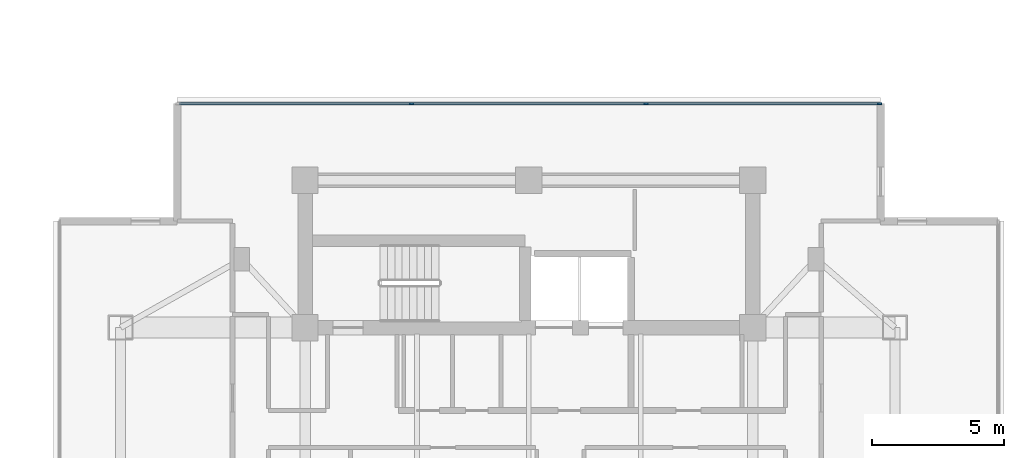
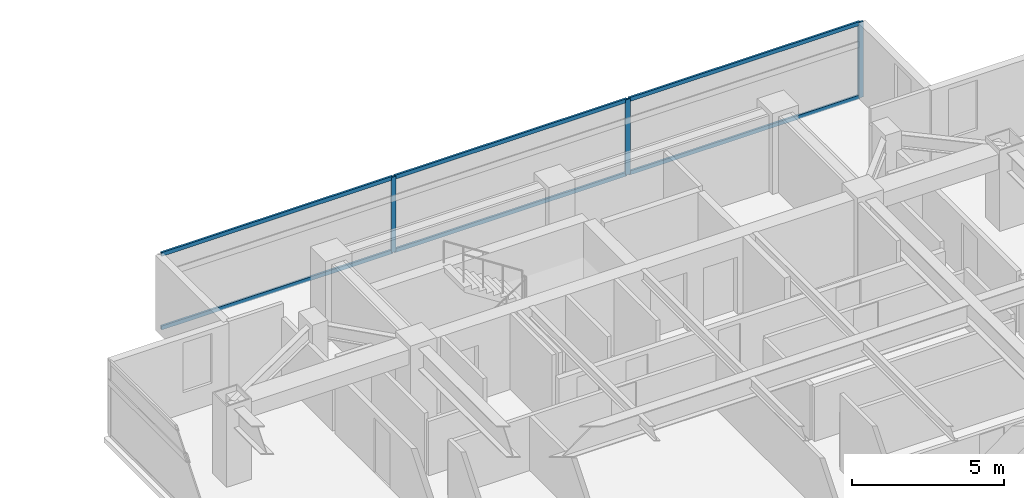
# One storey, part 11 of 26: 9 members, 1 element without a shape of its own.
"""IFC4 building model written with IfcOpenShell, lengths in metres."""

from ifc_helpers import new_model, si_unit, direction, frame, origin, origin_2d, place, context, subcontext, project, spatial, rectangle, extrude, material, material_profile, profile_set, type_object, element, aggregate, save


model = new_model("IFC4")

# Units and contexts
model_context = context("Model", 3, precision=1e-05, world=origin(), true_north=direction((0.0, 1.0)))
body_context = subcontext(model_context, "Body", "Model", "MODEL_VIEW")
ifc_project = project(units=[si_unit("LENGTHUNIT", "METRE"), si_unit("AREAUNIT", "SQUARE_METRE"), si_unit("VOLUMEUNIT", "CUBIC_METRE"), si_unit("PLANEANGLEUNIT", "RADIAN"), si_unit("MASSUNIT", "GRAM", prefix="KILO")], contexts=[model_context])

# Site, building, storey
site_placement = place(None, origin())
site = spatial("IfcSite", under=ifc_project, at=site_placement, CompositionType="ELEMENT")
building_placement = place(site_placement, origin())
building = spatial("IfcBuilding", under=site, at=building_placement, Name="Mirazonda Arch Towers", CompositionType="ELEMENT")
storey_placement = place(building_placement, frame((0.0, 0.0, 170.64990234375)))
storey = spatial("IfcBuildingStorey", under=building, at=storey_placement, Name="L48", CompositionType="ELEMENT", Elevation=170.64990234375)

# Curtain wall, members
ifc_material_1 = material(Name="Anodised Aluminium and Low-E Glass", Category="aluminium")
curtain_wall_type = type_object("IfcCurtainWallType", Name="CW-RES-UNIT", PredefinedType="NOTDEFINED", material=ifc_material_1)
curtain_wall_placement = place(storey_placement, origin())
curtain_wall = element("IfcCurtainWall", 1, at=curtain_wall_placement, inside=storey, type_object=curtain_wall_type, Name="L48 T2 N Facade CW-L48-T2-N", PredefinedType="NOTDEFINED")
ifc_material_2 = material(Name="Anodised Aluminium Alloy", Category="aluminium")
ifc_material_profile_1 = material_profile(ifc_material_2, rectangle(XDim=0.074951171875, YDim=0.175048828125, at=origin_2d()), Name="ALU-MULL-75x175")
ifc_profile_set_1 = profile_set([ifc_material_profile_1], Name="Anodised Aluminium Alloy")
member_type_1 = type_object("IfcMemberType", Name="MULL-CW-RES-UNIT", PredefinedType="MULLION", material=ifc_profile_set_1)
member_1_placement = place(storey_placement, frame((72.047607421875, 43.7080078125, 0.0), z_axis=(0.0, 0.0, 1.0), x_axis=(0.0, 1.0, 0.0)))
member_1 = element("IfcMember", 2, at=member_1_placement, type_object=member_type_1, Name="CW-104 mullion 2", PredefinedType="MULLION", context=body_context, shape_type="SweptSolid", body=[
    extrude(rectangle(XDim=0.074951171875, YDim=0.175048828125, at=origin_2d()), origin(), (0.0, 0.0, 1.0), 3.030029296875),
])
member_2_placement = place(storey_placement, frame((80.952392578125, 43.7080078125, 0.0), z_axis=(0.0, 0.0, 1.0), x_axis=(0.0, 1.0, 0.0)))
member_2 = element("IfcMember", 3, at=member_2_placement, type_object=member_type_1, Name="CW-104 mullion 3", PredefinedType="MULLION", context=body_context, shape_type="SweptSolid", body=[
    extrude(rectangle(XDim=0.074951171875, YDim=0.175048828125, at=origin_2d()), origin(), (0.0, 0.0, 1.0), 3.030029296875),
])
member_3_placement = place(storey_placement, frame((89.81982421875, 43.7080078125, 0.0), z_axis=(0.0, 0.0, 1.0), x_axis=(0.0, 1.0, 0.0)))
member_3 = element("IfcMember", 4, at=member_3_placement, type_object=member_type_1, Name="CW-104 mullion 4", PredefinedType="MULLION", context=body_context, shape_type="SweptSolid", body=[
    extrude(rectangle(XDim=0.074951171875, YDim=0.175048828125, at=origin_2d()), origin(), (0.0, 0.0, 1.0), 3.030029296875),
])
ifc_material_profile_2 = material_profile(ifc_material_2, rectangle(XDim=0.074951171875, YDim=0.155029296875, at=origin_2d()), Name="ALU-TRAN-75x155")
ifc_profile_set_2 = profile_set([ifc_material_profile_2], Name="Anodised Aluminium Alloy")
member_type_2 = type_object("IfcMemberType", Name="TRAN-CW-RES-UNIT", PredefinedType="USERDEFINED", material=ifc_profile_set_2)
member_4_placement = place(storey_placement, frame((63.2177734375, 43.7080078125, 0.03759765625), z_axis=(1.0, 0.0, 0.0), x_axis=(0.0, 1.0, 0.0)))
member_4 = element("IfcMember", 5, at=member_4_placement, type_object=member_type_2, Name="CW-104 transom 1.1", ObjectType="TRANSOM", PredefinedType="USERDEFINED", context=body_context, shape_type="SweptSolid", body=[
    extrude(rectangle(XDim=0.074951171875, YDim=0.155029296875, at=origin_2d()), origin(), (0.0, 0.0, 1.0), 8.792236328125),
])
member_5_placement = place(storey_placement, frame((63.2177734375, 43.7080078125, 2.99267578125), z_axis=(1.0, 0.0, 0.0), x_axis=(0.0, 1.0, 0.0)))
member_5 = element("IfcMember", 6, at=member_5_placement, type_object=member_type_2, Name="CW-104 transom 1.2", ObjectType="TRANSOM", PredefinedType="USERDEFINED", context=body_context, shape_type="SweptSolid", body=[
    extrude(rectangle(XDim=0.074951171875, YDim=0.155029296875, at=origin_2d()), origin(), (0.0, 0.0, 1.0), 8.792236328125),
])
member_6_placement = place(storey_placement, frame((72.0849609375, 43.7080078125, 0.03759765625), z_axis=(1.0, 0.0, 0.0), x_axis=(0.0, 1.0, 0.0)))
member_6 = element("IfcMember", 7, at=member_6_placement, type_object=member_type_2, Name="CW-104 transom 2.1", ObjectType="TRANSOM", PredefinedType="USERDEFINED", context=body_context, shape_type="SweptSolid", body=[
    extrude(rectangle(XDim=0.074951171875, YDim=0.155029296875, at=origin_2d()), origin(), (0.0, 0.0, 1.0), 8.830078125),
])
member_7_placement = place(storey_placement, frame((72.0849609375, 43.7080078125, 2.99267578125), z_axis=(1.0, 0.0, 0.0), x_axis=(0.0, 1.0, 0.0)))
member_7 = element("IfcMember", 8, at=member_7_placement, type_object=member_type_2, Name="CW-104 transom 2.2", ObjectType="TRANSOM", PredefinedType="USERDEFINED", context=body_context, shape_type="SweptSolid", body=[
    extrude(rectangle(XDim=0.074951171875, YDim=0.155029296875, at=origin_2d()), origin(), (0.0, 0.0, 1.0), 8.830078125),
])
member_8_placement = place(storey_placement, frame((80.989990234375, 43.7080078125, 0.03759765625), z_axis=(1.0, 0.0, 0.0), x_axis=(0.0, 1.0, 0.0)))
member_8 = element("IfcMember", 9, at=member_8_placement, type_object=member_type_2, Name="CW-104 transom 3.1", ObjectType="TRANSOM", PredefinedType="USERDEFINED", context=body_context, shape_type="SweptSolid", body=[
    extrude(rectangle(XDim=0.074951171875, YDim=0.155029296875, at=origin_2d()), origin(), (0.0, 0.0, 1.0), 8.792236328125),
])
member_9_placement = place(storey_placement, frame((80.989990234375, 43.7080078125, 2.99267578125), z_axis=(1.0, 0.0, 0.0), x_axis=(0.0, 1.0, 0.0)))
member_9 = element("IfcMember", 10, at=member_9_placement, type_object=member_type_2, Name="CW-104 transom 3.2", ObjectType="TRANSOM", PredefinedType="USERDEFINED", context=body_context, shape_type="SweptSolid", body=[
    extrude(rectangle(XDim=0.074951171875, YDim=0.155029296875, at=origin_2d()), origin(), (0.0, 0.0, 1.0), 8.792236328125),
])
aggregate(curtain_wall, [member_1, member_2, member_3, member_4, member_5, member_6, member_7, member_8, member_9])

save(model, "model.ifc")
